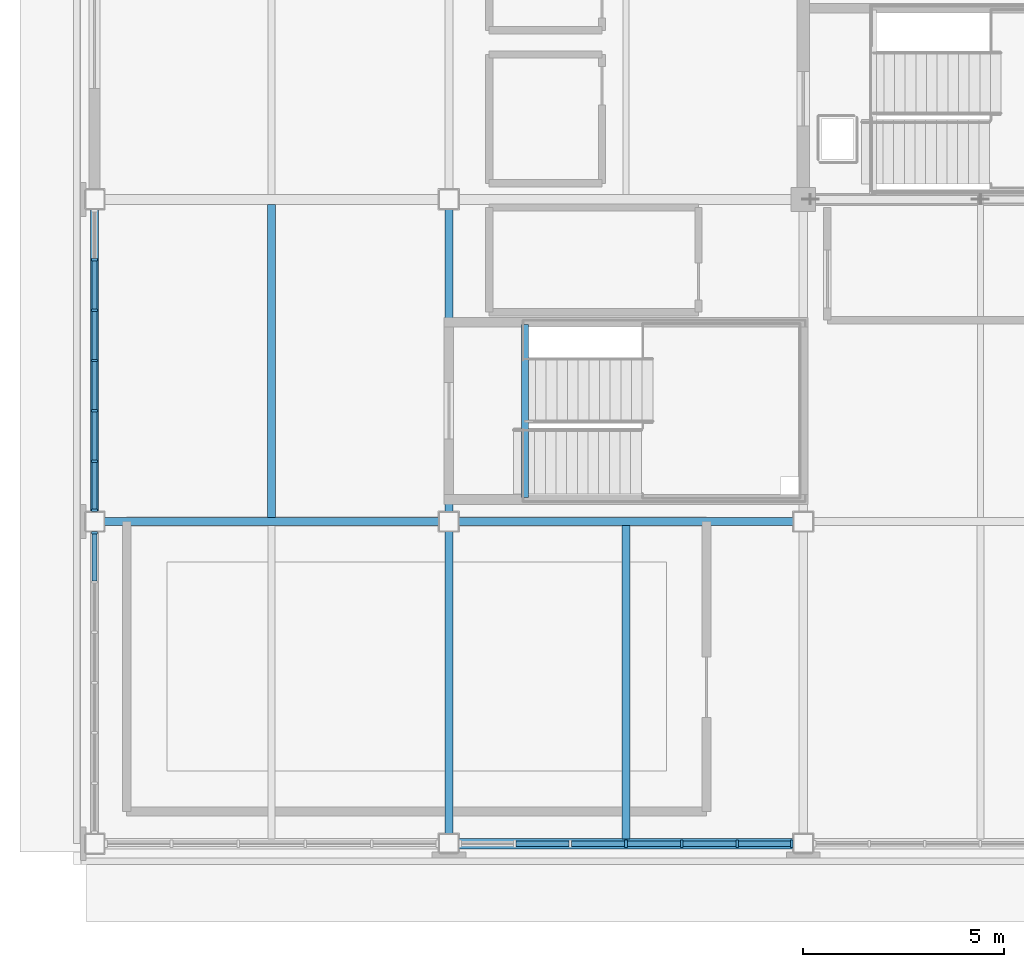
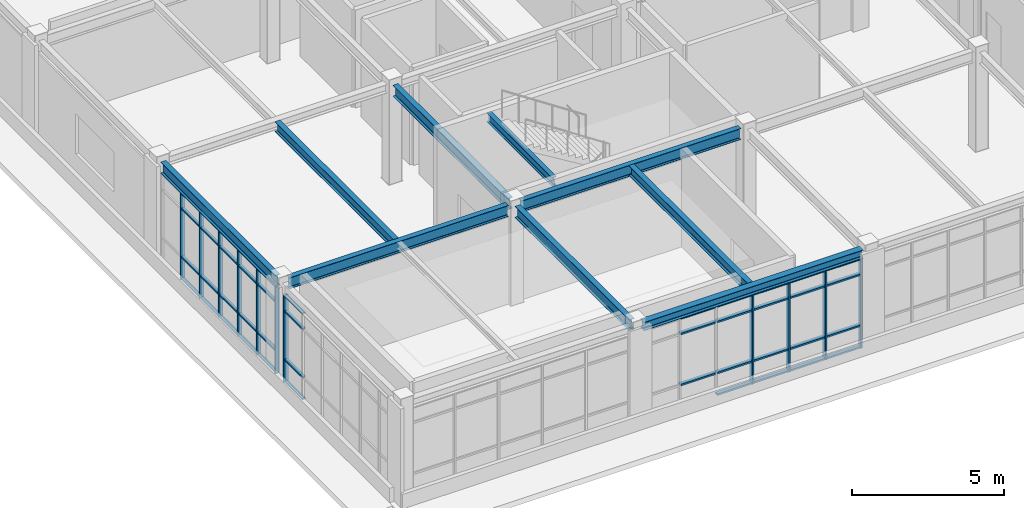
# One storey, part 3 of 22: 54 members, 9 beams, 3 elements without a shape of their own.
"""IFC4 building model written with IfcOpenShell, lengths in metres."""

import ifcopenshell
import ifcopenshell.guid

model = None  # the IFC model being written
_history = None  # IfcOwnerHistory: only IFC2X3 demands one
_inside = {}  # id of a spatial element -> (the spatial element, [elements in it])
_under = {}  # id of a project, library or spatial element -> (it, [spatial elements below it])
_declared = {}  # id of a project -> (the project, [libraries it declares])
_typed = {}  # id of a type object -> (the type object, [elements of that type])
_made_of = {}  # id of a material, layer set ... -> (it, [elements and type objects made of it])


def new_model(schema):
    """Start an empty IFC model of exactly this schema.

    Asked for "IFC4X3", IfcOpenShell would pick the latest addendum, in which some entities
    have other attributes; the version numbers below select the first issue.
    IFC2X3 requires an IfcOwnerHistory on every rooted entity: one is made here for all.
    """
    global model, _history
    if schema == "IFC4X3":
        model = ifcopenshell.file(schema_version=(4, 3, 0, 0))
    else:
        model = ifcopenshell.file(schema=schema)
    _inside.clear()
    _under.clear()
    _declared.clear()
    _typed.clear()
    _made_of.clear()
    _history = None
    if model.schema == "IFC2X3":
        org = make("IfcOrganization", Name="unknown")
        user = make(
            "IfcPersonAndOrganization",
            ThePerson=make("IfcPerson", FamilyName="unknown"),
            TheOrganization=org,
        )
        app = make(
            "IfcApplication",
            ApplicationDeveloper=org,
            Version="unknown",
            ApplicationFullName="unknown",
            ApplicationIdentifier="unknown",
        )
        _history = make(
            "IfcOwnerHistory",
            OwningUser=user,
            OwningApplication=app,
            ChangeAction="ADDED",
            CreationDate=0,
        )
    return model


def make(cls, **values):
    """One entity of the class cls with the attributes given. An attribute that is None is left unset."""
    return model.create_entity(
        cls, **{name: value for name, value in values.items() if value is not None}
    )


def rooted(cls, **values):
    """An entity with a GlobalId (a new one), such as an element, a storey or a relation."""
    return make(cls, GlobalId=ifcopenshell.guid.new(), OwnerHistory=_history, **values)


def si_unit(unit_type, name, prefix=None):
    """IfcSIUnit, for example si_unit("LENGTHUNIT", "METRE", prefix="MILLI")."""
    return make("IfcSIUnit", UnitType=unit_type, Prefix=prefix, Name=name)


def assignment(units):
    """IfcUnitAssignment: the units of a project."""
    return None if units is None else make("IfcUnitAssignment", Units=units)


def point(xyz):
    """IfcCartesianPoint."""
    return None if xyz is None else make("IfcCartesianPoint", Coordinates=xyz)


def direction(xyz):
    """IfcDirection."""
    return None if xyz is None else make("IfcDirection", DirectionRatios=xyz)


def frame(location, z_axis=None, x_axis=None):
    """IfcAxis2Placement3D, a coordinate frame: its origin and axes. An axis left out is left unset."""
    return make(
        "IfcAxis2Placement3D",
        Location=point(location),
        Axis=direction(z_axis),
        RefDirection=direction(x_axis),
    )


def frame_2d(location, x_axis=None):
    """IfcAxis2Placement2D, a coordinate frame in the plane: its origin and x axis."""
    return make(
        "IfcAxis2Placement2D", Location=point(location), RefDirection=direction(x_axis)
    )


def origin():
    """The frame at (0, 0, 0) with its axes left unset."""
    return frame((0.0, 0.0, 0.0))


def origin_2d():
    """The frame at (0, 0) in the plane with its x axis left unset."""
    return frame_2d((0.0, 0.0))


def place(relative_to, where):
    """IfcLocalPlacement: puts the frame where relative to a parent placement (None: the world)."""
    return make(
        "IfcLocalPlacement", PlacementRelTo=relative_to, RelativePlacement=where
    )


def context(
    kind, dimensions, precision=None, world=None, true_north=None, identifier=None
):
    """IfcGeometricRepresentationContext, for example the 3D "Model" context."""
    return make(
        "IfcGeometricRepresentationContext",
        ContextIdentifier=identifier,
        ContextType=kind,
        CoordinateSpaceDimension=dimensions,
        Precision=precision,
        WorldCoordinateSystem=world,
        TrueNorth=true_north,
    )


def subcontext(parent, identifier, kind, view, scale=None):
    """IfcGeometricRepresentationSubContext, for example "Body" below "Model"."""
    return make(
        "IfcGeometricRepresentationSubContext",
        ContextIdentifier=identifier,
        ContextType=kind,
        ParentContext=parent,
        TargetScale=scale,
        TargetView=view,
    )


def project(units=None, contexts=None):
    """IfcProject with its units and contexts."""
    return rooted(
        "IfcProject",
        Name="project",
        RepresentationContexts=contexts,
        UnitsInContext=assignment(units),
    )


def spatial(cls, under=None, at=None, **own):
    """A site, building, storey or space (cls), placed at a placement, below another one or the project."""
    s = rooted(cls, ObjectPlacement=at, **own)
    if under is not None:
        _under.setdefault(under.id(), (under, []))[1].append(s)
    return s


def profile(cls, at=None, kind="AREA", **sizes):
    """A parametric profile (cls). Its sizes go by their IFC names, for example OverallWidth=200.0."""
    return make(cls, ProfileType=kind, Position=at, **sizes)


def rectangle(**sizes):
    """IfcRectangleProfileDef."""
    return profile("IfcRectangleProfileDef", **sizes)


def i_section(**sizes):
    """IfcIShapeProfileDef."""
    return profile("IfcIShapeProfileDef", **sizes)


def extrude(swept, where, along, depth):
    """IfcExtrudedAreaSolid: the profile swept, set in the frame where, extruded along a direction by depth."""
    return make(
        "IfcExtrudedAreaSolid",
        SweptArea=swept,
        Position=where,
        ExtrudedDirection=direction(along),
        Depth=depth,
    )


def shape(context_of_items, identifier, shape_type, items):
    """IfcShapeRepresentation: the items that make up one representation, for example the "Body"."""
    return make(
        "IfcShapeRepresentation",
        ContextOfItems=context_of_items,
        RepresentationIdentifier=identifier,
        RepresentationType=shape_type,
        Items=items,
    )


def material(Name=None, Category=None):
    """IfcMaterial."""
    return make("IfcMaterial", Name=Name, Category=Category)


def material_profile(
    of_material, cross_section, Name=None, Category=None, Priority=None
):
    """IfcMaterialProfile: a cross section and its material."""
    return make(
        "IfcMaterialProfile",
        Name=Name,
        Material=of_material,
        Profile=cross_section,
        Priority=Priority,
        Category=Category,
    )


def profile_set(profiles, Name=None, composite=None):
    """IfcMaterialProfileSet."""
    return make(
        "IfcMaterialProfileSet",
        Name=Name,
        MaterialProfiles=profiles,
        CompositeProfile=composite,
    )


def made_of(thing, what):
    """Note that an element or type object is made of a material, layer set ...; save() writes the relation."""
    if what is not None:
        _made_of.setdefault(what.id(), (what, []))[1].append(thing)
    return thing


def type_object(cls, material=None, **own):
    """A type object (cls), such as IfcWallType, which elements share."""
    return made_of(rooted(cls, **own), material)


def element(
    cls,
    number,
    at=None,
    inside=None,
    cuts=None,
    type_object=None,
    material=None,
    context=None,
    identifier="Body",
    shape_type=None,
    held_by="IfcProductDefinitionShape",
    body=None,
    shapes=None,
    **own,
):
    """One element of the class cls, such as IfcWall. Its Tag is "e" and its number.

    at: its placement. inside: the storey or other place that contains it. cuts: it is an
    opening in that element (IfcRelVoidsElement). A single representation is given by context,
    identifier, shape_type and body (its items); several are given by shapes. held_by: the class
    of the entity that holds the representations. save() writes the other relations.
    """
    e = rooted(cls, Tag="e%d" % number, ObjectPlacement=at, **own)
    if body is not None:
        shapes = [shape(context, identifier, shape_type, body)]
    if shapes is not None:
        e.Representation = make(held_by, Representations=shapes)
    if inside is not None:
        _inside.setdefault(inside.id(), (inside, []))[1].append(e)
    if cuts is not None:
        rooted(
            "IfcRelVoidsElement", RelatingBuildingElement=cuts, RelatedOpeningElement=e
        )
    if type_object is not None:
        _typed.setdefault(type_object.id(), (type_object, []))[1].append(e)
    return made_of(e, material)


def aggregate(whole, parts):
    """IfcRelAggregates: a whole, such as a stair, and the parts it consists of."""
    return rooted("IfcRelAggregates", RelatingObject=whole, RelatedObjects=parts)


def save(model, path):
    """Write the relations noted so far, then the file.

    IfcRelAggregates (storeys below a building ...), IfcRelContainedInSpatialStructure (elements
    in a storey), IfcRelDefinesByType, IfcRelAssociatesMaterial and IfcRelDeclares: one each for
    every whole, place, type object, material and project.
    """
    for whole, parts in _under.values():
        aggregate(whole, parts)
    for where, things in _inside.values():
        rooted(
            "IfcRelContainedInSpatialStructure",
            RelatedElements=things,
            RelatingStructure=where,
        )
    for kind, things in _typed.values():
        rooted("IfcRelDefinesByType", RelatedObjects=things, RelatingType=kind)
    for what, things in _made_of.values():
        rooted("IfcRelAssociatesMaterial", RelatedObjects=things, RelatingMaterial=what)
    for by, libraries in _declared.values():
        rooted("IfcRelDeclares", RelatingContext=by, RelatedDefinitions=libraries)
    model.write(path)


model = new_model("IFC4")

# Units and contexts
model_context = context("Model", 3, precision=1e-05, world=origin(), true_north=direction((0.0, 1.0)))
body_context = subcontext(model_context, "Body", "Model", "MODEL_VIEW")
ifc_project = project(units=[si_unit("LENGTHUNIT", "METRE"), si_unit("AREAUNIT", "SQUARE_METRE"), si_unit("VOLUMEUNIT", "CUBIC_METRE"), si_unit("PLANEANGLEUNIT", "RADIAN"), si_unit("MASSUNIT", "GRAM", prefix="KILO")], contexts=[model_context])

# Site, building, storey
site_placement = place(None, origin())
site = spatial("IfcSite", under=ifc_project, at=site_placement, CompositionType="ELEMENT")
building_placement = place(site_placement, origin())
building = spatial("IfcBuilding", under=site, at=building_placement, Name="Zhaolan Boulevard Law Courts", CompositionType="ELEMENT")
storey_placement = place(building_placement, frame((0.0, 0.0, 28.800048828125)))
storey = spatial("IfcBuildingStorey", under=building, at=storey_placement, Name="L06", CompositionType="ELEMENT", Elevation=28.800048828125)

# Curtain wall, member
ifc_material_1 = material(Name="Thermally broken aluminium and low-E glazing", Category="aluminium")
curtain_wall_type_1 = type_object("IfcCurtainWallType", Name="CURTAIN WALL M13", PredefinedType="USERDEFINED", material=ifc_material_1)
curtain_wall_1_placement = place(storey_placement, origin())
curtain_wall_1 = element("IfcCurtainWall", 1, at=curtain_wall_1_placement, inside=storey, type_object=curtain_wall_type_1, Name="Curtain Wall CW-L06-229", ObjectType="CURTAIN WALL", PredefinedType="USERDEFINED")
ifc_material_2 = material(Name="Fluorocarbon-coated aluminium 6063-T6", Category="aluminium")
ifc_material_profile_1 = material_profile(ifc_material_2, rectangle(XDim=0.159912109375, YDim=0.06005859375, at=origin_2d()), Name="AL60x160")
ifc_profile_set_1 = profile_set([ifc_material_profile_1], Name="Fluorocarbon-coated aluminium 6063-T6")
member_type_1 = type_object("IfcMemberType", Name="CWMULLION 60X160", PredefinedType="MULLION", material=ifc_profile_set_1)
member_1_placement = place(storey_placement, frame((0.0, 37.718017578125, 0.0), z_axis=(0.0, 0.0, 1.0), x_axis=(1.0, 0.0, 0.0)))
member_1 = element("IfcMember", 2, at=member_1_placement, type_object=member_type_1, Name="CW-L06-229 mullion 1", PredefinedType="MULLION", context=body_context, shape_type="SweptSolid", body=[
    extrude(rectangle(XDim=0.159912109375, YDim=0.06005859375, at=origin_2d()), origin(), (0.0, 0.0, 1.0), 3.48291015625),
])

# Curtain wall, members
ifc_material_3 = material(Name="Thermally broken aluminium and low-E glazing", Category="aluminium")
curtain_wall_type_2 = type_object("IfcCurtainWallType", Name="CURTAIN WALL M14", PredefinedType="USERDEFINED", material=ifc_material_3)
curtain_wall_2_placement = place(storey_placement, origin())
curtain_wall_2 = element("IfcCurtainWall", 3, at=curtain_wall_2_placement, inside=storey, type_object=curtain_wall_type_2, Name="Curtain Wall CW-L06-230", ObjectType="CURTAIN WALL", PredefinedType="USERDEFINED")
member_2_placement = place(storey_placement, frame((0.0, 44.498779296875, 0.0), z_axis=(0.0, 0.0, 1.0), x_axis=(1.0, 0.0, 0.0)))
member_2 = element("IfcMember", 4, at=member_2_placement, type_object=member_type_1, Name="CW-L06-230 mullion 2", PredefinedType="MULLION", context=body_context, shape_type="SweptSolid", body=[
    extrude(rectangle(XDim=0.159912109375, YDim=0.06005859375, at=origin_2d()), origin(), (0.0, 0.0, 1.0), 3.48291015625),
])
member_3_placement = place(storey_placement, frame((0.0, 43.249267578125, 0.0), z_axis=(0.0, 0.0, 1.0), x_axis=(1.0, 0.0, 0.0)))
member_3 = element("IfcMember", 5, at=member_3_placement, type_object=member_type_1, Name="CW-L06-230 mullion 3", PredefinedType="MULLION", context=body_context, shape_type="SweptSolid", body=[
    extrude(rectangle(XDim=0.159912109375, YDim=0.06005859375, at=origin_2d()), origin(), (0.0, 0.0, 1.0), 3.48291015625),
])
member_4_placement = place(storey_placement, frame((0.0, 42.0, 0.0), z_axis=(0.0, 0.0, 1.0), x_axis=(1.0, 0.0, 0.0)))
member_4 = element("IfcMember", 6, at=member_4_placement, type_object=member_type_1, Name="CW-L06-230 mullion 4", PredefinedType="MULLION", context=body_context, shape_type="SweptSolid", body=[
    extrude(rectangle(XDim=0.159912109375, YDim=0.06005859375, at=origin_2d()), origin(), (0.0, 0.0, 1.0), 3.48291015625),
])
member_5_placement = place(storey_placement, frame((0.0, 40.750732421875, 0.0), z_axis=(0.0, 0.0, 1.0), x_axis=(1.0, 0.0, 0.0)))
member_5 = element("IfcMember", 7, at=member_5_placement, type_object=member_type_1, Name="CW-L06-230 mullion 5", PredefinedType="MULLION", context=body_context, shape_type="SweptSolid", body=[
    extrude(rectangle(XDim=0.159912109375, YDim=0.06005859375, at=origin_2d()), origin(), (0.0, 0.0, 1.0), 3.48291015625),
])
member_6_placement = place(storey_placement, frame((0.0, 39.501220703125, 0.0), z_axis=(0.0, 0.0, 1.0), x_axis=(1.0, 0.0, 0.0)))
member_6 = element("IfcMember", 8, at=member_6_placement, type_object=member_type_1, Name="CW-L06-230 mullion 6", PredefinedType="MULLION", context=body_context, shape_type="SweptSolid", body=[
    extrude(rectangle(XDim=0.159912109375, YDim=0.06005859375, at=origin_2d()), origin(), (0.0, 0.0, 1.0), 3.48291015625),
])
member_7_placement = place(storey_placement, frame((0.0, 38.281982421875, 0.0), z_axis=(0.0, 0.0, 1.0), x_axis=(1.0, 0.0, 0.0)))
member_7 = element("IfcMember", 9, at=member_7_placement, type_object=member_type_1, Name="CW-L06-230 mullion 7", PredefinedType="MULLION", context=body_context, shape_type="SweptSolid", body=[
    extrude(rectangle(XDim=0.159912109375, YDim=0.06005859375, at=origin_2d()), origin(), (0.0, 0.0, 1.0), 3.48291015625),
])

ifc_material_4 = material(Name="Thermally broken aluminium and low-E glazing", Category="aluminium")
curtain_wall_type_3 = type_object("IfcCurtainWallType", Name="CURTAIN WALL M9", PredefinedType="USERDEFINED", material=ifc_material_4)
curtain_wall_3_placement = place(storey_placement, origin())
curtain_wall_3 = element("IfcCurtainWall", 10, at=curtain_wall_3_placement, inside=storey, type_object=curtain_wall_type_3, Name="Curtain Wall CW-L06-225", ObjectType="CURTAIN WALL", PredefinedType="USERDEFINED")
ifc_material_5 = material(Name="Fluorocarbon-coated aluminium 6063-T6", Category="aluminium")
ifc_material_profile_2 = material_profile(ifc_material_5, rectangle(XDim=0.179931640625, YDim=0.06494140625, at=origin_2d()), Name="AL65x180")
ifc_profile_set_2 = profile_set([ifc_material_profile_2], Name="Fluorocarbon-coated aluminium 6063-T6")
member_type_2 = type_object("IfcMemberType", Name="CWMULLION 65X180", PredefinedType="MULLION", material=ifc_profile_set_2)
member_8_placement = place(storey_placement, frame((13.199951171875, 30.0, 0.0), z_axis=(0.0, 0.0, 1.0), x_axis=(0.0, 1.0, 0.0)))
member_8 = element("IfcMember", 11, at=member_8_placement, type_object=member_type_2, Name="CW-L06-225 mullion 4", PredefinedType="MULLION", context=body_context, shape_type="SweptSolid", body=[
    extrude(rectangle(XDim=0.179931640625, YDim=0.06494140625, at=origin_2d()), origin(), (0.0, 0.0, 1.0), 3.593017578125),
])
member_9_placement = place(storey_placement, frame((14.582763671875, 30.0, 0.0), z_axis=(0.0, 0.0, 1.0), x_axis=(0.0, 1.0, 0.0)))
member_9 = element("IfcMember", 12, at=member_9_placement, type_object=member_type_2, Name="CW-L06-225 mullion 5", PredefinedType="MULLION", context=body_context, shape_type="SweptSolid", body=[
    extrude(rectangle(XDim=0.179931640625, YDim=0.06494140625, at=origin_2d()), origin(), (0.0, 0.0, 1.0), 3.593017578125),
])
member_10_placement = place(storey_placement, frame((15.96533203125, 30.0, 0.0), z_axis=(0.0, 0.0, 1.0), x_axis=(0.0, 1.0, 0.0)))
member_10 = element("IfcMember", 13, at=member_10_placement, type_object=member_type_2, Name="CW-L06-225 mullion 6", PredefinedType="MULLION", context=body_context, shape_type="SweptSolid", body=[
    extrude(rectangle(XDim=0.179931640625, YDim=0.06494140625, at=origin_2d()), origin(), (0.0, 0.0, 1.0), 3.593017578125),
])
member_11_placement = place(storey_placement, frame((17.3154296875, 30.0, 0.0), z_axis=(0.0, 0.0, 1.0), x_axis=(0.0, 1.0, 0.0)))
member_11 = element("IfcMember", 14, at=member_11_placement, type_object=member_type_2, Name="CW-L06-225 mullion 7", PredefinedType="MULLION", context=body_context, shape_type="SweptSolid", body=[
    extrude(rectangle(XDim=0.179931640625, YDim=0.06494140625, at=origin_2d()), origin(), (0.0, 0.0, 1.0), 3.593017578125),
])

# Member
ifc_material_6 = material(Name="Fluorocarbon-coated aluminium 6063-T6", Category="aluminium")
ifc_material_profile_3 = material_profile(ifc_material_6, rectangle(XDim=0.1201171875, YDim=0.06005859375, at=origin_2d()), Name="AL60x120")
ifc_profile_set_3 = profile_set([ifc_material_profile_3], Name="Fluorocarbon-coated aluminium 6063-T6")
member_type_3 = type_object("IfcMemberType", Name="CWTRANSOM 60X120", PredefinedType="USERDEFINED", material=ifc_profile_set_3)
member_12_placement = place(storey_placement, frame((0.0, 37.68798828125, 0.030029296875), z_axis=(0.0, -1.0, 0.0), x_axis=(1.0, 0.0, 0.0)))
member_12 = element("IfcMember", 15, at=member_12_placement, type_object=member_type_3, Name="CW-L06-229 transom 1.1", ObjectType="TRANSOM", PredefinedType="USERDEFINED", context=body_context, shape_type="SweptSolid", body=[
    extrude(rectangle(XDim=0.1201171875, YDim=0.06005859375, at=origin_2d()), origin(), (0.0, 0.0, 1.0), 1.159423828125),
])

member_13_placement = place(storey_placement, frame((0.0, 37.68798828125, 0.89990234375), z_axis=(0.0, -1.0, 0.0), x_axis=(1.0, 0.0, 0.0)))
member_13 = element("IfcMember", 16, at=member_13_placement, type_object=member_type_3, Name="CW-L06-229 transom 1.2", ObjectType="TRANSOM", PredefinedType="USERDEFINED", context=body_context, shape_type="SweptSolid", body=[
    extrude(rectangle(XDim=0.1201171875, YDim=0.06005859375, at=origin_2d()), origin(), (0.0, 0.0, 1.0), 1.159423828125),
])

member_14_placement = place(storey_placement, frame((0.0, 37.68798828125, 2.8330078125), z_axis=(0.0, -1.0, 0.0), x_axis=(1.0, 0.0, 0.0)))
member_14 = element("IfcMember", 17, at=member_14_placement, type_object=member_type_3, Name="CW-L06-229 transom 1.3", ObjectType="TRANSOM", PredefinedType="USERDEFINED", context=body_context, shape_type="SweptSolid", body=[
    extrude(rectangle(XDim=0.1201171875, YDim=0.06005859375, at=origin_2d()), origin(), (0.0, 0.0, 1.0), 1.159423828125),
])

member_15_placement = place(storey_placement, frame((0.0, 37.68798828125, 3.452880859375), z_axis=(0.0, -1.0, 0.0), x_axis=(1.0, 0.0, 0.0)))
member_15 = element("IfcMember", 18, at=member_15_placement, type_object=member_type_3, Name="CW-L06-229 transom 1.4", ObjectType="TRANSOM", PredefinedType="USERDEFINED", context=body_context, shape_type="SweptSolid", body=[
    extrude(rectangle(XDim=0.1201171875, YDim=0.06005859375, at=origin_2d()), origin(), (0.0, 0.0, 1.0), 1.159423828125),
])

aggregate(curtain_wall_1, [member_1, member_12, member_13, member_14, member_15])

member_16_placement = place(storey_placement, frame((0.0, 44.46875, 0.030029296875), z_axis=(0.0, -1.0, 0.0), x_axis=(1.0, 0.0, 0.0)))
member_16 = element("IfcMember", 19, at=member_16_placement, type_object=member_type_3, Name="CW-L06-230 transom 2.1", ObjectType="TRANSOM", PredefinedType="USERDEFINED", context=body_context, shape_type="SweptSolid", body=[
    extrude(rectangle(XDim=0.1201171875, YDim=0.06005859375, at=origin_2d()), origin(), (0.0, 0.0, 1.0), 1.189453125),
])

member_17_placement = place(storey_placement, frame((0.0, 44.46875, 0.89990234375), z_axis=(0.0, -1.0, 0.0), x_axis=(1.0, 0.0, 0.0)))
member_17 = element("IfcMember", 20, at=member_17_placement, type_object=member_type_3, Name="CW-L06-230 transom 2.2", ObjectType="TRANSOM", PredefinedType="USERDEFINED", context=body_context, shape_type="SweptSolid", body=[
    extrude(rectangle(XDim=0.1201171875, YDim=0.06005859375, at=origin_2d()), origin(), (0.0, 0.0, 1.0), 1.189453125),
])

member_18_placement = place(storey_placement, frame((0.0, 44.46875, 2.8330078125), z_axis=(0.0, -1.0, 0.0), x_axis=(1.0, 0.0, 0.0)))
member_18 = element("IfcMember", 21, at=member_18_placement, type_object=member_type_3, Name="CW-L06-230 transom 2.3", ObjectType="TRANSOM", PredefinedType="USERDEFINED", context=body_context, shape_type="SweptSolid", body=[
    extrude(rectangle(XDim=0.1201171875, YDim=0.06005859375, at=origin_2d()), origin(), (0.0, 0.0, 1.0), 1.189453125),
])

member_19_placement = place(storey_placement, frame((0.0, 44.46875, 3.452880859375), z_axis=(0.0, -1.0, 0.0), x_axis=(1.0, 0.0, 0.0)))
member_19 = element("IfcMember", 22, at=member_19_placement, type_object=member_type_3, Name="CW-L06-230 transom 2.4", ObjectType="TRANSOM", PredefinedType="USERDEFINED", context=body_context, shape_type="SweptSolid", body=[
    extrude(rectangle(XDim=0.1201171875, YDim=0.06005859375, at=origin_2d()), origin(), (0.0, 0.0, 1.0), 1.189453125),
])

member_20_placement = place(storey_placement, frame((0.0, 43.21923828125, 0.030029296875), z_axis=(0.0, -1.0, 0.0), x_axis=(1.0, 0.0, 0.0)))
member_20 = element("IfcMember", 23, at=member_20_placement, type_object=member_type_3, Name="CW-L06-230 transom 3.1", ObjectType="TRANSOM", PredefinedType="USERDEFINED", context=body_context, shape_type="SweptSolid", body=[
    extrude(rectangle(XDim=0.1201171875, YDim=0.06005859375, at=origin_2d()), origin(), (0.0, 0.0, 1.0), 1.189208984375),
])

member_21_placement = place(storey_placement, frame((0.0, 43.21923828125, 0.89990234375), z_axis=(0.0, -1.0, 0.0), x_axis=(1.0, 0.0, 0.0)))
member_21 = element("IfcMember", 24, at=member_21_placement, type_object=member_type_3, Name="CW-L06-230 transom 3.2", ObjectType="TRANSOM", PredefinedType="USERDEFINED", context=body_context, shape_type="SweptSolid", body=[
    extrude(rectangle(XDim=0.1201171875, YDim=0.06005859375, at=origin_2d()), origin(), (0.0, 0.0, 1.0), 1.189208984375),
])

member_22_placement = place(storey_placement, frame((0.0, 43.21923828125, 2.8330078125), z_axis=(0.0, -1.0, 0.0), x_axis=(1.0, 0.0, 0.0)))
member_22 = element("IfcMember", 25, at=member_22_placement, type_object=member_type_3, Name="CW-L06-230 transom 3.3", ObjectType="TRANSOM", PredefinedType="USERDEFINED", context=body_context, shape_type="SweptSolid", body=[
    extrude(rectangle(XDim=0.1201171875, YDim=0.06005859375, at=origin_2d()), origin(), (0.0, 0.0, 1.0), 1.189208984375),
])

member_23_placement = place(storey_placement, frame((0.0, 43.21923828125, 3.452880859375), z_axis=(0.0, -1.0, 0.0), x_axis=(1.0, 0.0, 0.0)))
member_23 = element("IfcMember", 26, at=member_23_placement, type_object=member_type_3, Name="CW-L06-230 transom 3.4", ObjectType="TRANSOM", PredefinedType="USERDEFINED", context=body_context, shape_type="SweptSolid", body=[
    extrude(rectangle(XDim=0.1201171875, YDim=0.06005859375, at=origin_2d()), origin(), (0.0, 0.0, 1.0), 1.189208984375),
])

member_24_placement = place(storey_placement, frame((0.0, 41.969970703125, 0.030029296875), z_axis=(0.0, -1.0, 0.0), x_axis=(1.0, 0.0, 0.0)))
member_24 = element("IfcMember", 27, at=member_24_placement, type_object=member_type_3, Name="CW-L06-230 transom 4.1", ObjectType="TRANSOM", PredefinedType="USERDEFINED", context=body_context, shape_type="SweptSolid", body=[
    extrude(rectangle(XDim=0.1201171875, YDim=0.06005859375, at=origin_2d()), origin(), (0.0, 0.0, 1.0), 1.189208984375),
])

member_25_placement = place(storey_placement, frame((0.0, 41.969970703125, 0.89990234375), z_axis=(0.0, -1.0, 0.0), x_axis=(1.0, 0.0, 0.0)))
member_25 = element("IfcMember", 28, at=member_25_placement, type_object=member_type_3, Name="CW-L06-230 transom 4.2", ObjectType="TRANSOM", PredefinedType="USERDEFINED", context=body_context, shape_type="SweptSolid", body=[
    extrude(rectangle(XDim=0.1201171875, YDim=0.06005859375, at=origin_2d()), origin(), (0.0, 0.0, 1.0), 1.189208984375),
])

member_26_placement = place(storey_placement, frame((0.0, 41.969970703125, 2.8330078125), z_axis=(0.0, -1.0, 0.0), x_axis=(1.0, 0.0, 0.0)))
member_26 = element("IfcMember", 29, at=member_26_placement, type_object=member_type_3, Name="CW-L06-230 transom 4.3", ObjectType="TRANSOM", PredefinedType="USERDEFINED", context=body_context, shape_type="SweptSolid", body=[
    extrude(rectangle(XDim=0.1201171875, YDim=0.06005859375, at=origin_2d()), origin(), (0.0, 0.0, 1.0), 1.189208984375),
])

member_27_placement = place(storey_placement, frame((0.0, 41.969970703125, 3.452880859375), z_axis=(0.0, -1.0, 0.0), x_axis=(1.0, 0.0, 0.0)))
member_27 = element("IfcMember", 30, at=member_27_placement, type_object=member_type_3, Name="CW-L06-230 transom 4.4", ObjectType="TRANSOM", PredefinedType="USERDEFINED", context=body_context, shape_type="SweptSolid", body=[
    extrude(rectangle(XDim=0.1201171875, YDim=0.06005859375, at=origin_2d()), origin(), (0.0, 0.0, 1.0), 1.189208984375),
])

member_28_placement = place(storey_placement, frame((0.0, 40.720703125, 0.030029296875), z_axis=(0.0, -1.0, 0.0), x_axis=(1.0, 0.0, 0.0)))
member_28 = element("IfcMember", 31, at=member_28_placement, type_object=member_type_3, Name="CW-L06-230 transom 5.1", ObjectType="TRANSOM", PredefinedType="USERDEFINED", context=body_context, shape_type="SweptSolid", body=[
    extrude(rectangle(XDim=0.1201171875, YDim=0.06005859375, at=origin_2d()), origin(), (0.0, 0.0, 1.0), 1.189453125),
])

member_29_placement = place(storey_placement, frame((0.0, 40.720703125, 0.89990234375), z_axis=(0.0, -1.0, 0.0), x_axis=(1.0, 0.0, 0.0)))
member_29 = element("IfcMember", 32, at=member_29_placement, type_object=member_type_3, Name="CW-L06-230 transom 5.2", ObjectType="TRANSOM", PredefinedType="USERDEFINED", context=body_context, shape_type="SweptSolid", body=[
    extrude(rectangle(XDim=0.1201171875, YDim=0.06005859375, at=origin_2d()), origin(), (0.0, 0.0, 1.0), 1.189453125),
])

member_30_placement = place(storey_placement, frame((0.0, 40.720703125, 2.8330078125), z_axis=(0.0, -1.0, 0.0), x_axis=(1.0, 0.0, 0.0)))
member_30 = element("IfcMember", 33, at=member_30_placement, type_object=member_type_3, Name="CW-L06-230 transom 5.3", ObjectType="TRANSOM", PredefinedType="USERDEFINED", context=body_context, shape_type="SweptSolid", body=[
    extrude(rectangle(XDim=0.1201171875, YDim=0.06005859375, at=origin_2d()), origin(), (0.0, 0.0, 1.0), 1.189453125),
])

member_31_placement = place(storey_placement, frame((0.0, 40.720703125, 3.452880859375), z_axis=(0.0, -1.0, 0.0), x_axis=(1.0, 0.0, 0.0)))
member_31 = element("IfcMember", 34, at=member_31_placement, type_object=member_type_3, Name="CW-L06-230 transom 5.4", ObjectType="TRANSOM", PredefinedType="USERDEFINED", context=body_context, shape_type="SweptSolid", body=[
    extrude(rectangle(XDim=0.1201171875, YDim=0.06005859375, at=origin_2d()), origin(), (0.0, 0.0, 1.0), 1.189453125),
])

member_32_placement = place(storey_placement, frame((0.0, 39.471435546875, 0.030029296875), z_axis=(0.0, -1.0, 0.0), x_axis=(1.0, 0.0, 0.0)))
member_32 = element("IfcMember", 35, at=member_32_placement, type_object=member_type_3, Name="CW-L06-230 transom 6.1", ObjectType="TRANSOM", PredefinedType="USERDEFINED", context=body_context, shape_type="SweptSolid", body=[
    extrude(rectangle(XDim=0.1201171875, YDim=0.06005859375, at=origin_2d()), origin(), (0.0, 0.0, 1.0), 1.159423828125),
])

member_33_placement = place(storey_placement, frame((0.0, 39.471435546875, 0.89990234375), z_axis=(0.0, -1.0, 0.0), x_axis=(1.0, 0.0, 0.0)))
member_33 = element("IfcMember", 36, at=member_33_placement, type_object=member_type_3, Name="CW-L06-230 transom 6.2", ObjectType="TRANSOM", PredefinedType="USERDEFINED", context=body_context, shape_type="SweptSolid", body=[
    extrude(rectangle(XDim=0.1201171875, YDim=0.06005859375, at=origin_2d()), origin(), (0.0, 0.0, 1.0), 1.159423828125),
])

member_34_placement = place(storey_placement, frame((0.0, 39.471435546875, 2.8330078125), z_axis=(0.0, -1.0, 0.0), x_axis=(1.0, 0.0, 0.0)))
member_34 = element("IfcMember", 37, at=member_34_placement, type_object=member_type_3, Name="CW-L06-230 transom 6.3", ObjectType="TRANSOM", PredefinedType="USERDEFINED", context=body_context, shape_type="SweptSolid", body=[
    extrude(rectangle(XDim=0.1201171875, YDim=0.06005859375, at=origin_2d()), origin(), (0.0, 0.0, 1.0), 1.159423828125),
])

member_35_placement = place(storey_placement, frame((0.0, 39.471435546875, 3.452880859375), z_axis=(0.0, -1.0, 0.0), x_axis=(1.0, 0.0, 0.0)))
member_35 = element("IfcMember", 38, at=member_35_placement, type_object=member_type_3, Name="CW-L06-230 transom 6.4", ObjectType="TRANSOM", PredefinedType="USERDEFINED", context=body_context, shape_type="SweptSolid", body=[
    extrude(rectangle(XDim=0.1201171875, YDim=0.06005859375, at=origin_2d()), origin(), (0.0, 0.0, 1.0), 1.159423828125),
])

aggregate(curtain_wall_2, [member_2, member_3, member_4, member_5, member_6, member_7, member_16, member_17, member_18, member_19, member_20, member_21, member_22, member_23, member_24, member_25, member_26, member_27, member_28, member_29, member_30, member_31, member_32, member_33, member_34, member_35])

ifc_material_7 = material(Name="Fluorocarbon-coated aluminium 6063-T6", Category="aluminium")
ifc_material_profile_4 = material_profile(ifc_material_7, rectangle(XDim=0.139892578125, YDim=0.06494140625, at=origin_2d()), Name="AL65x140")
ifc_profile_set_4 = profile_set([ifc_material_profile_4], Name="Fluorocarbon-coated aluminium 6063-T6")
member_type_4 = type_object("IfcMemberType", Name="CWTRANSOM 65X140", PredefinedType="USERDEFINED", material=ifc_profile_set_4)
member_36_placement = place(storey_placement, frame((10.46728515625, 30.0, 0.89990234375), z_axis=(1.0, 0.0, 0.0), x_axis=(0.0, 1.0, 0.0)))
member_36 = element("IfcMember", 39, at=member_36_placement, type_object=member_type_4, Name="CW-L06-225 transom 2.2", ObjectType="TRANSOM", PredefinedType="USERDEFINED", context=body_context, shape_type="SweptSolid", body=[
    extrude(rectangle(XDim=0.139892578125, YDim=0.06494140625, at=origin_2d()), origin(), (0.0, 0.0, 1.0), 1.317626953125),
])

member_37_placement = place(storey_placement, frame((10.46728515625, 30.0, 2.94287109375), z_axis=(1.0, 0.0, 0.0), x_axis=(0.0, 1.0, 0.0)))
member_37 = element("IfcMember", 40, at=member_37_placement, type_object=member_type_4, Name="CW-L06-225 transom 2.3", ObjectType="TRANSOM", PredefinedType="USERDEFINED", context=body_context, shape_type="SweptSolid", body=[
    extrude(rectangle(XDim=0.139892578125, YDim=0.06494140625, at=origin_2d()), origin(), (0.0, 0.0, 1.0), 1.317626953125),
])

member_38_placement = place(storey_placement, frame((10.46728515625, 30.0, 3.560546875), z_axis=(1.0, 0.0, 0.0), x_axis=(0.0, 1.0, 0.0)))
member_38 = element("IfcMember", 41, at=member_38_placement, type_object=member_type_4, Name="CW-L06-225 transom 2.4", ObjectType="TRANSOM", PredefinedType="USERDEFINED", context=body_context, shape_type="SweptSolid", body=[
    extrude(rectangle(XDim=0.139892578125, YDim=0.06494140625, at=origin_2d()), origin(), (0.0, 0.0, 1.0), 1.317626953125),
])

member_39_placement = place(storey_placement, frame((11.849853515625, 30.0, 0.032470703125), z_axis=(1.0, 0.0, 0.0), x_axis=(0.0, 1.0, 0.0)))
member_39 = element("IfcMember", 42, at=member_39_placement, type_object=member_type_4, Name="CW-L06-225 transom 3.1", ObjectType="TRANSOM", PredefinedType="USERDEFINED", context=body_context, shape_type="SweptSolid", body=[
    extrude(rectangle(XDim=0.139892578125, YDim=0.06494140625, at=origin_2d()), origin(), (0.0, 0.0, 1.0), 1.317626953125),
])

member_40_placement = place(storey_placement, frame((11.849853515625, 30.0, 0.89990234375), z_axis=(1.0, 0.0, 0.0), x_axis=(0.0, 1.0, 0.0)))
member_40 = element("IfcMember", 43, at=member_40_placement, type_object=member_type_4, Name="CW-L06-225 transom 3.2", ObjectType="TRANSOM", PredefinedType="USERDEFINED", context=body_context, shape_type="SweptSolid", body=[
    extrude(rectangle(XDim=0.139892578125, YDim=0.06494140625, at=origin_2d()), origin(), (0.0, 0.0, 1.0), 1.317626953125),
])

member_41_placement = place(storey_placement, frame((11.849853515625, 30.0, 2.94287109375), z_axis=(1.0, 0.0, 0.0), x_axis=(0.0, 1.0, 0.0)))
member_41 = element("IfcMember", 44, at=member_41_placement, type_object=member_type_4, Name="CW-L06-225 transom 3.3", ObjectType="TRANSOM", PredefinedType="USERDEFINED", context=body_context, shape_type="SweptSolid", body=[
    extrude(rectangle(XDim=0.139892578125, YDim=0.06494140625, at=origin_2d()), origin(), (0.0, 0.0, 1.0), 1.317626953125),
])

member_42_placement = place(storey_placement, frame((11.849853515625, 30.0, 3.560546875), z_axis=(1.0, 0.0, 0.0), x_axis=(0.0, 1.0, 0.0)))
member_42 = element("IfcMember", 45, at=member_42_placement, type_object=member_type_4, Name="CW-L06-225 transom 3.4", ObjectType="TRANSOM", PredefinedType="USERDEFINED", context=body_context, shape_type="SweptSolid", body=[
    extrude(rectangle(XDim=0.139892578125, YDim=0.06494140625, at=origin_2d()), origin(), (0.0, 0.0, 1.0), 1.317626953125),
])

member_43_placement = place(storey_placement, frame((13.232421875, 30.0, 0.032470703125), z_axis=(1.0, 0.0, 0.0), x_axis=(0.0, 1.0, 0.0)))
member_43 = element("IfcMember", 46, at=member_43_placement, type_object=member_type_4, Name="CW-L06-225 transom 4.1", ObjectType="TRANSOM", PredefinedType="USERDEFINED", context=body_context, shape_type="SweptSolid", body=[
    extrude(rectangle(XDim=0.139892578125, YDim=0.06494140625, at=origin_2d()), origin(), (0.0, 0.0, 1.0), 1.317626953125),
])

member_44_placement = place(storey_placement, frame((13.232421875, 30.0, 0.89990234375), z_axis=(1.0, 0.0, 0.0), x_axis=(0.0, 1.0, 0.0)))
member_44 = element("IfcMember", 47, at=member_44_placement, type_object=member_type_4, Name="CW-L06-225 transom 4.2", ObjectType="TRANSOM", PredefinedType="USERDEFINED", context=body_context, shape_type="SweptSolid", body=[
    extrude(rectangle(XDim=0.139892578125, YDim=0.06494140625, at=origin_2d()), origin(), (0.0, 0.0, 1.0), 1.317626953125),
])

member_45_placement = place(storey_placement, frame((13.232421875, 30.0, 2.94287109375), z_axis=(1.0, 0.0, 0.0), x_axis=(0.0, 1.0, 0.0)))
member_45 = element("IfcMember", 48, at=member_45_placement, type_object=member_type_4, Name="CW-L06-225 transom 4.3", ObjectType="TRANSOM", PredefinedType="USERDEFINED", context=body_context, shape_type="SweptSolid", body=[
    extrude(rectangle(XDim=0.139892578125, YDim=0.06494140625, at=origin_2d()), origin(), (0.0, 0.0, 1.0), 1.317626953125),
])

member_46_placement = place(storey_placement, frame((13.232421875, 30.0, 3.560546875), z_axis=(1.0, 0.0, 0.0), x_axis=(0.0, 1.0, 0.0)))
member_46 = element("IfcMember", 49, at=member_46_placement, type_object=member_type_4, Name="CW-L06-225 transom 4.4", ObjectType="TRANSOM", PredefinedType="USERDEFINED", context=body_context, shape_type="SweptSolid", body=[
    extrude(rectangle(XDim=0.139892578125, YDim=0.06494140625, at=origin_2d()), origin(), (0.0, 0.0, 1.0), 1.317626953125),
])

member_47_placement = place(storey_placement, frame((14.615234375, 30.0, 0.032470703125), z_axis=(1.0, 0.0, 0.0), x_axis=(0.0, 1.0, 0.0)))
member_47 = element("IfcMember", 50, at=member_47_placement, type_object=member_type_4, Name="CW-L06-225 transom 5.1", ObjectType="TRANSOM", PredefinedType="USERDEFINED", context=body_context, shape_type="SweptSolid", body=[
    extrude(rectangle(XDim=0.139892578125, YDim=0.06494140625, at=origin_2d()), origin(), (0.0, 0.0, 1.0), 1.317626953125),
])

member_48_placement = place(storey_placement, frame((14.615234375, 30.0, 0.89990234375), z_axis=(1.0, 0.0, 0.0), x_axis=(0.0, 1.0, 0.0)))
member_48 = element("IfcMember", 51, at=member_48_placement, type_object=member_type_4, Name="CW-L06-225 transom 5.2", ObjectType="TRANSOM", PredefinedType="USERDEFINED", context=body_context, shape_type="SweptSolid", body=[
    extrude(rectangle(XDim=0.139892578125, YDim=0.06494140625, at=origin_2d()), origin(), (0.0, 0.0, 1.0), 1.317626953125),
])

member_49_placement = place(storey_placement, frame((14.615234375, 30.0, 2.94287109375), z_axis=(1.0, 0.0, 0.0), x_axis=(0.0, 1.0, 0.0)))
member_49 = element("IfcMember", 52, at=member_49_placement, type_object=member_type_4, Name="CW-L06-225 transom 5.3", ObjectType="TRANSOM", PredefinedType="USERDEFINED", context=body_context, shape_type="SweptSolid", body=[
    extrude(rectangle(XDim=0.139892578125, YDim=0.06494140625, at=origin_2d()), origin(), (0.0, 0.0, 1.0), 1.317626953125),
])

member_50_placement = place(storey_placement, frame((14.615234375, 30.0, 3.560546875), z_axis=(1.0, 0.0, 0.0), x_axis=(0.0, 1.0, 0.0)))
member_50 = element("IfcMember", 53, at=member_50_placement, type_object=member_type_4, Name="CW-L06-225 transom 5.4", ObjectType="TRANSOM", PredefinedType="USERDEFINED", context=body_context, shape_type="SweptSolid", body=[
    extrude(rectangle(XDim=0.139892578125, YDim=0.06494140625, at=origin_2d()), origin(), (0.0, 0.0, 1.0), 1.317626953125),
])

member_51_placement = place(storey_placement, frame((15.997802734375, 30.0, 0.032470703125), z_axis=(1.0, 0.0, 0.0), x_axis=(0.0, 1.0, 0.0)))
member_51 = element("IfcMember", 54, at=member_51_placement, type_object=member_type_4, Name="CW-L06-225 transom 6.1", ObjectType="TRANSOM", PredefinedType="USERDEFINED", context=body_context, shape_type="SweptSolid", body=[
    extrude(rectangle(XDim=0.139892578125, YDim=0.06494140625, at=origin_2d()), origin(), (0.0, 0.0, 1.0), 1.28515625),
])

member_52_placement = place(storey_placement, frame((15.997802734375, 30.0, 0.89990234375), z_axis=(1.0, 0.0, 0.0), x_axis=(0.0, 1.0, 0.0)))
member_52 = element("IfcMember", 55, at=member_52_placement, type_object=member_type_4, Name="CW-L06-225 transom 6.2", ObjectType="TRANSOM", PredefinedType="USERDEFINED", context=body_context, shape_type="SweptSolid", body=[
    extrude(rectangle(XDim=0.139892578125, YDim=0.06494140625, at=origin_2d()), origin(), (0.0, 0.0, 1.0), 1.28515625),
])

member_53_placement = place(storey_placement, frame((15.997802734375, 30.0, 2.94287109375), z_axis=(1.0, 0.0, 0.0), x_axis=(0.0, 1.0, 0.0)))
member_53 = element("IfcMember", 56, at=member_53_placement, type_object=member_type_4, Name="CW-L06-225 transom 6.3", ObjectType="TRANSOM", PredefinedType="USERDEFINED", context=body_context, shape_type="SweptSolid", body=[
    extrude(rectangle(XDim=0.139892578125, YDim=0.06494140625, at=origin_2d()), origin(), (0.0, 0.0, 1.0), 1.28515625),
])

member_54_placement = place(storey_placement, frame((15.997802734375, 30.0, 3.560546875), z_axis=(1.0, 0.0, 0.0), x_axis=(0.0, 1.0, 0.0)))
member_54 = element("IfcMember", 57, at=member_54_placement, type_object=member_type_4, Name="CW-L06-225 transom 6.4", ObjectType="TRANSOM", PredefinedType="USERDEFINED", context=body_context, shape_type="SweptSolid", body=[
    extrude(rectangle(XDim=0.139892578125, YDim=0.06494140625, at=origin_2d()), origin(), (0.0, 0.0, 1.0), 1.28515625),
])

aggregate(curtain_wall_3, [member_8, member_9, member_10, member_11, member_36, member_37, member_38, member_39, member_40, member_41, member_42, member_43, member_44, member_45, member_46, member_47, member_48, member_49, member_50, member_51, member_52, member_53, member_54])

# Beams
ifc_material_8 = material(Name="Structural steel Q355B", Category="steel")
ifc_material_profile_5 = material_profile(ifc_material_8, i_section(OverallWidth=0.199951171875, OverallDepth=0.449951171875, WebThickness=0.009033203125, FlangeThickness=0.013916015625, FilletRadius=0.01611328125, at=origin_2d()), Name="HN450x200")
ifc_profile_set_5 = profile_set([ifc_material_profile_5], Name="Structural steel Q355B")
beam_type_1 = type_object("IfcBeamType", Name="GIRDER HN450", PredefinedType="BEAM", material=ifc_profile_set_5)
beam_1_placement = place(storey_placement, frame((0.24609375, 38.0, 3.722900390625), z_axis=(1.0, 0.0, 0.0), x_axis=(0.0, 1.0, 0.0)))
element("IfcBeam", 58, at=beam_1_placement, inside=storey, type_object=beam_type_1, Name="Beam BX-L07-1-2-F", PredefinedType="BEAM", context=body_context, shape_type="SweptSolid", body=[
    extrude(i_section(OverallWidth=0.199951171875, OverallDepth=0.449951171875, WebThickness=0.009033203125, FlangeThickness=0.013916015625, FilletRadius=0.01611328125, at=origin_2d()), origin(), (0.0, 0.0, 1.0), 8.307861328125),
])
beam_2_placement = place(storey_placement, frame((9.0458984375, 38.0, 3.722900390625), z_axis=(1.0, 0.0, 0.0), x_axis=(0.0, 1.0, 0.0)))
element("IfcBeam", 59, at=beam_2_placement, inside=storey, type_object=beam_type_1, Name="Beam BX-L07-2-3-F", PredefinedType="BEAM", context=body_context, shape_type="SweptSolid", body=[
    extrude(i_section(OverallWidth=0.199951171875, OverallDepth=0.449951171875, WebThickness=0.009033203125, FlangeThickness=0.013916015625, FilletRadius=0.01611328125, at=origin_2d()), origin(), (0.0, 0.0, 1.0), 8.30810546875),
])
for number, where, z_axis, x_axis, name in (
    (60, (0.0, 38.24609375, 3.722900390625), (0.0, 1.0, 0.0), (-1.0, 0.0, 0.0), "Beam BY-L07-1-F-G"),
    (61, (8.800048828125, 30.24609375, 3.722900390625), (0.0, 1.0, 0.0), (-1.0, 0.0, 0.0), "Beam BY-L07-2-E-F"),
    (62, (8.800048828125, 38.24609375, 3.722900390625), (0.0, 1.0, 0.0), (-1.0, 0.0, 0.0), "Beam BY-L07-2-F-G"),
):
    element("IfcBeam", number, at=place(storey_placement, frame(where, z_axis=z_axis, x_axis=x_axis)), inside=storey, type_object=beam_type_1, Name=name, PredefinedType="BEAM", context=body_context, shape_type="SweptSolid", body=[
        extrude(i_section(OverallWidth=0.199951171875, OverallDepth=0.449951171875, WebThickness=0.009033203125, FlangeThickness=0.013916015625, FilletRadius=0.01611328125, at=origin_2d()), origin(), (0.0, 0.0, 1.0), 7.5078125),
    ])
ifc_material_9 = material(Name="Structural steel Q355B", Category="steel")
ifc_material_profile_6 = material_profile(ifc_material_9, i_section(OverallWidth=0.199951171875, OverallDepth=0.39990234375, WebThickness=0.008056640625, FlangeThickness=0.012939453125, FilletRadius=0.013916015625, at=origin_2d()), Name="HN400x200")
ifc_profile_set_6 = profile_set([ifc_material_profile_6], Name="Structural steel Q355B")
beam_type_2 = type_object("IfcBeamType", Name="JOIST HN400", PredefinedType="JOIST", material=ifc_profile_set_6)
for number, where, z_axis, x_axis, name in (
    (63, (4.39990234375, 38.095947265625, 3.748046875), (0.0, 1.0, 0.0), (-1.0, 0.0, 0.0), "Composite Joist J-L07-1F"),
    (64, (13.199951171875, 30.12109375, 3.748046875), (0.0, 1.0, 0.0), (-1.0, 0.0, 0.0), "Composite Joist J-L07-2E"),
):
    element("IfcBeam", number, at=place(storey_placement, frame(where, z_axis=z_axis, x_axis=x_axis)), inside=storey, type_object=beam_type_2, Name=name, PredefinedType="JOIST", context=body_context, shape_type="SweptSolid", body=[
        extrude(i_section(OverallWidth=0.199951171875, OverallDepth=0.39990234375, WebThickness=0.008056640625, FlangeThickness=0.012939453125, FilletRadius=0.013916015625, at=origin_2d()), origin(), (0.0, 0.0, 1.0), 7.782958984375),
    ])
ifc_material_10 = material(Name="Structural steel Q355B", Category="steel")
ifc_material_profile_7 = material_profile(ifc_material_10, i_section(OverallWidth=0.25, OverallDepth=0.340087890625, WebThickness=0.009033203125, FlangeThickness=0.013916015625, FilletRadius=0.01611328125, at=origin_2d()), Name="HM340x250")
ifc_profile_set_7 = profile_set([ifc_material_profile_7], Name="Structural steel Q355B")
beam_type_3 = type_object("IfcBeamType", Name="SPANDREL HM340", PredefinedType="SPANDREL", material=ifc_profile_set_7)
beam_3_placement = place(storey_placement, frame((9.0458984375, 30.0, 3.77783203125), z_axis=(1.0, 0.0, 0.0), x_axis=(0.0, 1.0, 0.0)))
element("IfcBeam", 65, at=beam_3_placement, inside=storey, type_object=beam_type_3, Name="Beam BX-L07-2-3-E", PredefinedType="SPANDREL", context=body_context, shape_type="SweptSolid", body=[
    extrude(i_section(OverallWidth=0.25, OverallDepth=0.340087890625, WebThickness=0.009033203125, FlangeThickness=0.013916015625, FilletRadius=0.01611328125, at=origin_2d()), origin(), (0.0, 0.0, 1.0), 8.30810546875),
])
ifc_material_11 = material(Name="Structural steel Q355B", Category="steel")
ifc_material_profile_8 = material_profile(ifc_material_11, i_section(OverallWidth=0.175048828125, OverallDepth=0.35009765625, WebThickness=0.007080078125, FlangeThickness=0.010986328125, FilletRadius=0.012939453125, at=origin_2d()), Name="HN350x175")
ifc_profile_set_8 = profile_set([ifc_material_profile_8], Name="Structural steel Q355B")
beam_type_4 = type_object("IfcBeamType", Name="STAIR TRIMMER HN350", PredefinedType="BEAM", material=ifc_profile_set_8)
beam_4_placement = place(storey_placement, frame((10.68505859375, 38.60009765625, 3.73486328125), z_axis=(0.0, 1.0, 0.0), x_axis=(-1.0, 0.0, 0.0)))
element("IfcBeam", 66, at=beam_4_placement, inside=storey, type_object=beam_type_4, Name="Stair Landing Trimmer Beam STB-ST03-L07", PredefinedType="BEAM", context=body_context, shape_type="SweptSolid", body=[
    extrude(i_section(OverallWidth=0.175048828125, OverallDepth=0.35009765625, WebThickness=0.007080078125, FlangeThickness=0.010986328125, FilletRadius=0.012939453125, at=origin_2d()), origin(), (0.0, 0.0, 1.0), 4.2998046875),
])

save(model, "model.ifc")
